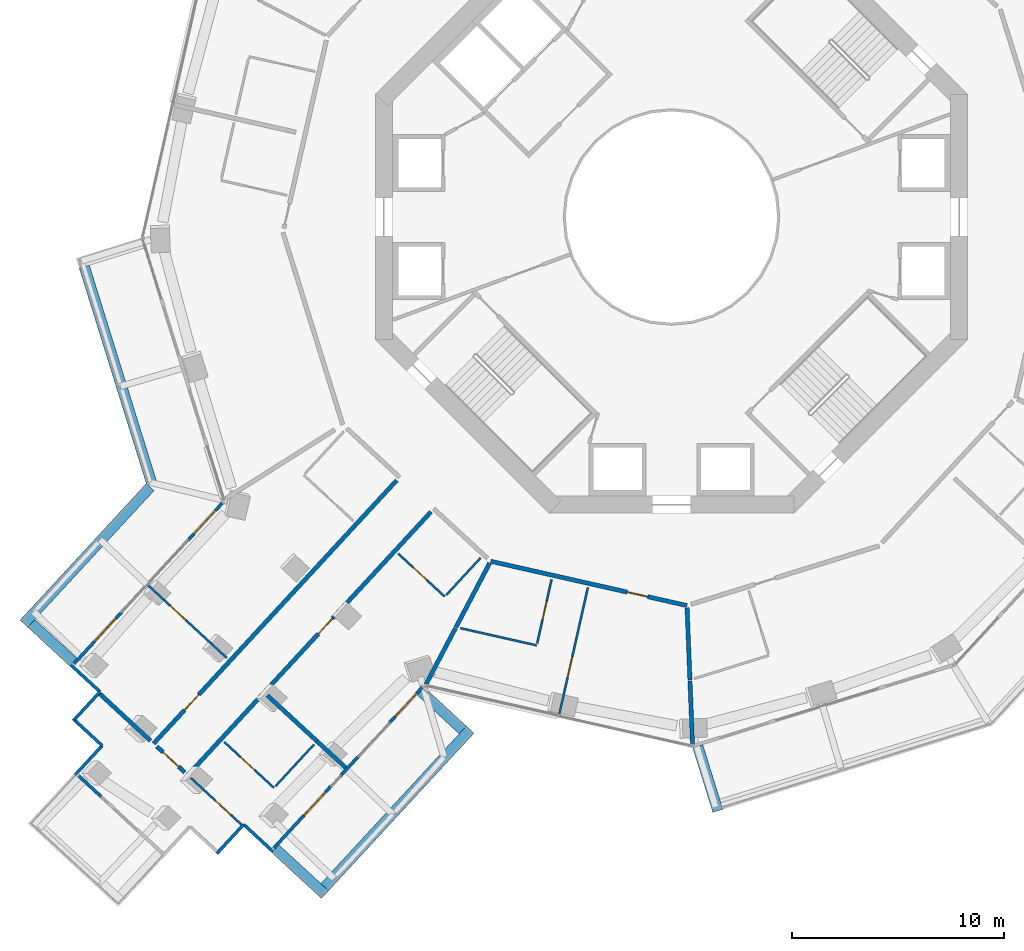
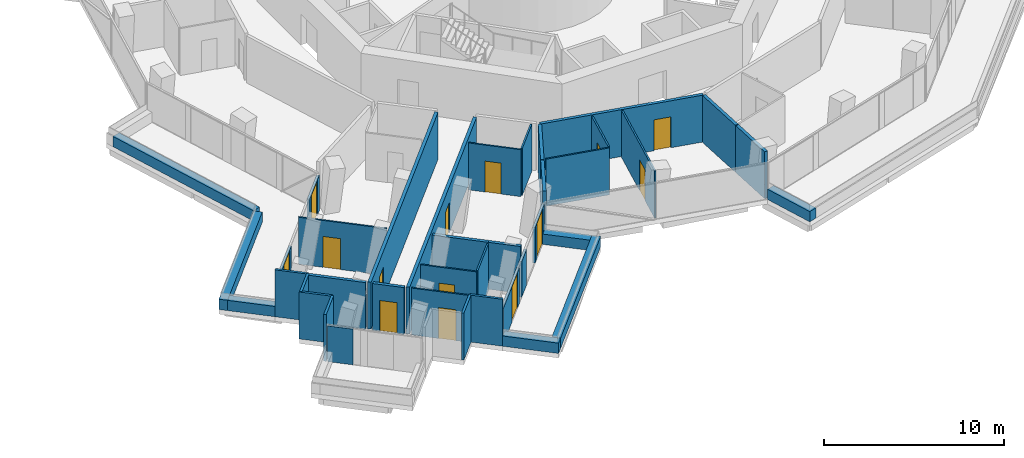
# One storey, part 17 of 25: 39 walls, 14 doors, 14 openings.
"""IFC4 building model written with IfcOpenShell, lengths in metres."""

from ifc_helpers import new_model, si_unit, direction, frame, frame_2d, origin, place, context, subcontext, project, spatial, rectangle, extrude, material, layer, layer_set, type_object, element, fill, save


model = new_model("IFC4")

# Units and contexts
model_context = context("Model", 3, precision=1e-05, world=origin(), true_north=direction((0.0, 1.0)))
body_context = subcontext(model_context, "Body", "Model", "MODEL_VIEW")
ifc_project = project(units=[si_unit("LENGTHUNIT", "METRE"), si_unit("AREAUNIT", "SQUARE_METRE"), si_unit("VOLUMEUNIT", "CUBIC_METRE"), si_unit("PLANEANGLEUNIT", "RADIAN"), si_unit("MASSUNIT", "GRAM", prefix="KILO")], contexts=[model_context])

# Site, building, storey
site_placement = place(None, origin())
site = spatial("IfcSite", under=ifc_project, at=site_placement, CompositionType="ELEMENT")
building_placement = place(site_placement, origin())
building = spatial("IfcBuilding", under=site, at=building_placement, Name="Verdalira Terraces Hotel", CompositionType="ELEMENT")
storey_placement = place(building_placement, frame((0.0, 0.0, 103.5)))
storey = spatial("IfcBuildingStorey", under=building, at=storey_placement, Name="L24", CompositionType="ELEMENT", Elevation=103.5)

# Walls
ifc_material_1 = material(Name="Concrete C40", Category="concrete")
ifc_layer_1 = layer(ifc_material_1, 0.5)
ifc_layer_set_1 = layer_set([ifc_layer_1], Name="Balcony planter trough with tree")
wall_type_1 = type_object("IfcWallType", Name="Balcony planter trough with tree", PredefinedType="SOLIDWALL", material=ifc_layer_set_1)
wall_1_placement = place(storey_placement, frame((-27.762451, -2.352783, 0.0), z_axis=(0.0, 0.0, 1.0), x_axis=(0.297028475, -0.954868622, 0.0)))
element("IfcWall", 1, at=wall_1_placement, inside=storey, type_object=wall_type_1, Name="Balcony planter", PredefinedType="SOLIDWALL", context=body_context, shape_type="SweptSolid", body=[
    extrude(rectangle(XDim=10.652344, YDim=0.5, at=frame_2d((5.326172, 0.0))), origin(), (0.0, 0.0, 1.0), 0.699951),
])
wall_2_placement = place(storey_placement, frame((-24.65332, -12.768311, 0.0), z_axis=(0.0, 0.0, 1.0), x_axis=(-0.678410385, -0.734683162, 0.0)))
element("IfcWall", 2, at=wall_2_placement, inside=storey, type_object=wall_type_1, Name="Balcony planter", PredefinedType="SOLIDWALL", context=body_context, shape_type="SweptSolid", body=[
    extrude(rectangle(XDim=8.794189, YDim=0.5, at=frame_2d((4.396973, 0.0))), origin(), (0.0, 0.0, 1.0), 0.699951),
])
wall_3_placement = place(storey_placement, frame((-30.266113, -19.215088, 0.0), z_axis=(0.0, 0.0, 1.0), x_axis=(0.734678586, -0.678415341, 0.0)))
element("IfcWall", 3, at=wall_3_placement, inside=storey, type_object=wall_type_1, Name="Balcony planter", PredefinedType="SOLIDWALL", context=body_context, shape_type="SweptSolid", body=[
    extrude(rectangle(XDim=2.698975, YDim=0.5, at=frame_2d((1.349609, 0.0))), origin(), (0.0, 0.0, 1.0), 0.699951),
])
wall_4_placement = place(storey_placement, frame((-18.730957, -29.866943, 0.0), z_axis=(0.0, 0.0, 1.0), x_axis=(0.734671758, -0.678422736, 0.0)))
element("IfcWall", 4, at=wall_4_placement, inside=storey, type_object=wall_type_1, Name="Balcony planter", PredefinedType="SOLIDWALL", context=body_context, shape_type="SweptSolid", body=[
    extrude(rectangle(XDim=3.19873, YDim=0.5, at=frame_2d((1.599365, 0.0))), origin(), (0.0, 0.0, 1.0), 0.699951),
])
wall_5_placement = place(storey_placement, frame((-16.394775, -31.683838, 0.0), z_axis=(0.0, 0.0, 1.0), x_axis=(0.678417072, 0.734676988, 0.0)))
element("IfcWall", 5, at=wall_5_placement, inside=storey, type_object=wall_type_1, Name="Balcony planter", PredefinedType="SOLIDWALL", context=body_context, shape_type="SweptSolid", body=[
    extrude(rectangle(XDim=10.141357, YDim=0.5, at=frame_2d((5.070801, 0.0))), origin(), (0.0, 0.0, 1.0), 0.699951),
])
wall_6_placement = place(storey_placement, frame((-9.86792, -24.24707, 0.0), z_axis=(0.0, 0.0, 1.0), x_axis=(-0.73463695, 0.678460427, 0.0)))
element("IfcWall", 6, at=wall_6_placement, inside=storey, type_object=wall_type_1, Name="Balcony planter", PredefinedType="SOLIDWALL", context=body_context, shape_type="SweptSolid", body=[
    extrude(rectangle(XDim=2.69873, YDim=0.5, at=frame_2d((1.349365, 0.0))), origin(), (0.0, 0.0, 1.0), 0.699951),
])
wall_7_placement = place(storey_placement, frame((1.238037, -25.020996, 0.0), z_axis=(0.0, 0.0, 1.0), x_axis=(0.297114489, -0.954841862, 0.0)))
element("IfcWall", 7, at=wall_7_placement, inside=storey, type_object=wall_type_1, Name="Balcony planter", PredefinedType="SOLIDWALL", context=body_context, shape_type="SweptSolid", body=[
    extrude(rectangle(XDim=3.198975, YDim=0.5, at=frame_2d((1.599609, 0.0))), origin(), (0.0, 0.0, 1.0), 0.699951),
])

# Wall, opening, door
ifc_material_2 = material(Name="Moisture-resistant gypsum board partition")
ifc_layer_2 = layer(ifc_material_2, 0.10009765625)
ifc_layer_set_2 = layer_set([ifc_layer_2], Name="Bathroom partition 100 mm")
wall_type_2 = type_object("IfcWallType", Name="Bathroom partition 100 mm", PredefinedType="PARTITIONING", material=ifc_layer_set_2)
wall_8_placement = place(storey_placement, frame((-24.732178, -17.423096, 0.0), z_axis=(0.0, 0.0, 1.0), x_axis=(0.734660708, -0.678434701, 0.0)))
wall_8 = element("IfcWall", 8, at=wall_8_placement, inside=storey, type_object=wall_type_2, Name="Bathroom partition", PredefinedType="PARTITIONING", context=body_context, shape_type="SweptSolid", body=[
    extrude(rectangle(XDim=5.049805, YDim=0.100098, at=frame_2d((2.524902, 0.0))), origin(), (0.0, 0.0, 1.0), 3.189941),
])
opening_1_placement = place(wall_8_placement, frame((1.399902, 0.0, 0.0)))
opening_1 = element("IfcOpeningElement", 9, at=opening_1_placement, cuts=wall_8, Name="Opening L24-114", PredefinedType="OPENING", context=body_context, shape_type="SweptSolid", body=[
    extrude(rectangle(XDim=1.0, YDim=2.100098, at=frame_2d((0.5, 1.050049))), frame((0.0, 0.060059, 0.0), z_axis=(0.0, -1.0, 0.0), x_axis=(1.0, 0.0, 0.0)), (0.0, 0.0, 1.0), 0.120117),
])
ifc_material_3 = material(Name="Timber door", Category="wood")
door_type_1 = type_object("IfcDoorType", Name="Suite internal door 1000 x 2100", OperationType="NOTDEFINED", PredefinedType="DOOR", material=ifc_material_3)
door_1_placement = place(opening_1_placement, origin())
door_1 = element("IfcDoor", 10, at=door_1_placement, inside=storey, type_object=door_type_1, Name="Suite internal door 2405", OperationType="SINGLE_SWING_LEFT", OverallHeight=2.10009765625, OverallWidth=1.0, PredefinedType="DOOR", context=body_context, shape_type="SweptSolid", body=[
    extrude(rectangle(XDim=1.0, YDim=2.100098, at=frame_2d((0.5, 1.050049))), frame((0.0, 0.024902, 0.0), z_axis=(0.0, -1.0, 0.0), x_axis=(1.0, 0.0, 0.0)), (0.0, 0.0, 1.0), 0.050049),
])
fill(opening_1, door_1)

wall_9_placement = place(storey_placement, frame((-22.72168, -26.522217, 0.0), z_axis=(0.0, 0.0, 1.0), x_axis=(0.734662397, -0.678432872, 0.0)))
wall_9 = element("IfcWall", 11, at=wall_9_placement, inside=storey, type_object=wall_type_2, Name="Bathroom partition", PredefinedType="PARTITIONING", context=body_context, shape_type="SweptSolid", body=[
    extrude(rectangle(XDim=3.251953, YDim=0.100098, at=frame_2d((1.625977, 0.0))), origin(), (0.0, 0.0, 1.0), 3.189941),
])
opening_2_placement = place(wall_9_placement, frame((1.550049, 0.0, 0.0)))
opening_2 = element("IfcOpeningElement", 12, at=opening_2_placement, cuts=wall_9, Name="Opening L24-117", PredefinedType="OPENING", context=body_context, shape_type="SweptSolid", body=[
    extrude(rectangle(XDim=1.0, YDim=2.100098, at=frame_2d((0.5, 1.050049))), frame((0.0, 0.060059, 0.0), z_axis=(0.0, -1.0, 0.0), x_axis=(1.0, 0.0, 0.0)), (0.0, 0.0, 1.0), 0.120117),
])
door_2_placement = place(opening_2_placement, origin())
door_2 = element("IfcDoor", 13, at=door_2_placement, inside=storey, type_object=door_type_1, Name="Suite internal door 2406", OperationType="SINGLE_SWING_LEFT", OverallHeight=2.10009765625, OverallWidth=1.0, PredefinedType="DOOR", context=body_context, shape_type="SweptSolid", body=[
    extrude(rectangle(XDim=1.0, YDim=2.100098, at=frame_2d((0.5, 1.050049))), frame((0.0, 0.024902, 0.0), z_axis=(0.0, -1.0, 0.0), x_axis=(1.0, 0.0, 0.0)), (0.0, 0.0, 1.0), 0.050049),
])
fill(opening_2, door_2)

wall_10_placement = place(storey_placement, frame((-21.147217, -24.817139, 0.0), z_axis=(0.0, 0.0, 1.0), x_axis=(0.734698137, -0.678394168, 0.0)))
wall_10 = element("IfcWall", 14, at=wall_10_placement, inside=storey, type_object=wall_type_2, Name="Bathroom partition", PredefinedType="PARTITIONING", context=body_context, shape_type="SweptSolid", body=[
    extrude(rectangle(XDim=3.199951, YDim=0.100098, at=frame_2d((1.600098, 0.0))), origin(), (0.0, 0.0, 1.0), 3.189941),
])
opening_3_placement = place(wall_10_placement, frame((1.050049, 0.0, 0.0)))
opening_3 = element("IfcOpeningElement", 15, at=opening_3_placement, cuts=wall_10, Name="Opening L24-118", PredefinedType="OPENING", context=body_context, shape_type="SweptSolid", body=[
    extrude(rectangle(XDim=0.899902, YDim=2.100098, at=frame_2d((0.449951, 1.050049))), frame((0.0, 0.060059, 0.0), z_axis=(0.0, -1.0, 0.0), x_axis=(1.0, 0.0, 0.0)), (0.0, 0.0, 1.0), 0.120117),
])
ifc_material_4 = material(Name="Timber door", Category="wood")
door_type_2 = type_object("IfcDoorType", Name="Bathroom door 900 x 2100", OperationType="NOTDEFINED", PredefinedType="DOOR", material=ifc_material_4)
door_3_placement = place(opening_3_placement, origin())
door_3 = element("IfcDoor", 16, at=door_3_placement, inside=storey, type_object=door_type_2, Name="Bathroom door 2406", OperationType="SINGLE_SWING_RIGHT", OverallHeight=2.10009765625, OverallWidth=0.89990234375, PredefinedType="DOOR", context=body_context, shape_type="SweptSolid", body=[
    extrude(rectangle(XDim=0.899902, YDim=2.100098, at=frame_2d((0.449951, 1.050049))), frame((0.0, 0.024902, 0.0), z_axis=(0.0, -1.0, 0.0), x_axis=(1.0, 0.0, 0.0)), (0.0, 0.0, 1.0), 0.050049),
])
fill(opening_3, door_3)

# Wall
wall_11_placement = place(storey_placement, frame((-18.728271, -26.914551, 0.0), z_axis=(0.0, 0.0, 1.0), x_axis=(0.678426553, 0.734668232, 0.0)))
element("IfcWall", 17, at=wall_11_placement, inside=storey, type_object=wall_type_2, Name="Bathroom partition", PredefinedType="PARTITIONING", context=body_context, shape_type="SweptSolid", body=[
    extrude(rectangle(XDim=2.699951, YDim=0.100098, at=frame_2d((1.350098, 0.0))), origin(), (0.0, 0.0, 1.0), 3.189941),
])

# Wall, opening, door
wall_12_placement = place(storey_placement, frame((-12.924316, -15.912109, 0.0), z_axis=(0.0, 0.0, 1.0), x_axis=(0.734663036, -0.678432181, 0.0)))
wall_12 = element("IfcWall", 18, at=wall_12_placement, inside=storey, type_object=wall_type_2, Name="Bathroom partition", PredefinedType="PARTITIONING", context=body_context, shape_type="SweptSolid", body=[
    extrude(rectangle(XDim=3.000244, YDim=0.100098, at=frame_2d((1.5, 0.0))), origin(), (0.0, 0.0, 1.0), 3.189941),
])
opening_4_placement = place(wall_12_placement, frame((0.949951, 0.0, 0.0)))
opening_4 = element("IfcOpeningElement", 19, at=opening_4_placement, cuts=wall_12, Name="Opening L24-120", PredefinedType="OPENING", context=body_context, shape_type="SweptSolid", body=[
    extrude(rectangle(XDim=0.899902, YDim=2.100098, at=frame_2d((0.449951, 1.050049))), frame((0.0, 0.060059, 0.0), z_axis=(0.0, -1.0, 0.0), x_axis=(1.0, 0.0, 0.0)), (0.0, 0.0, 1.0), 0.120117),
])
door_4_placement = place(opening_4_placement, origin())
door_4 = element("IfcDoor", 20, at=door_4_placement, inside=storey, type_object=door_type_2, Name="Bathroom door 2407", OperationType="SINGLE_SWING_RIGHT", OverallHeight=2.10009765625, OverallWidth=0.89990234375, PredefinedType="DOOR", context=body_context, shape_type="SweptSolid", body=[
    extrude(rectangle(XDim=0.899902, YDim=2.100098, at=frame_2d((0.449951, 1.050049))), frame((0.0, 0.024902, 0.0), z_axis=(0.0, -1.0, 0.0), x_axis=(1.0, 0.0, 0.0)), (0.0, 0.0, 1.0), 0.050049),
])
fill(opening_4, door_4)

# Walls
wall_13_placement = place(storey_placement, frame((-9.02417, -16.11084, 0.0), z_axis=(0.0, 0.0, 1.0), x_axis=(-0.678419519, -0.734674728, 0.0)))
element("IfcWall", 21, at=wall_13_placement, inside=storey, type_object=wall_type_2, Name="Bathroom partition", PredefinedType="PARTITIONING", context=body_context, shape_type="SweptSolid", body=[
    extrude(rectangle(XDim=2.399902, YDim=0.100098, at=frame_2d((1.199951, 0.0))), origin(), (0.0, 0.0, 1.0), 3.189941),
])
wall_14_placement = place(storey_placement, frame((-9.987061, -19.436279, 0.0), z_axis=(0.0, 0.0, 1.0), x_axis=(0.975451051, -0.220216363, 0.0)))
element("IfcWall", 22, at=wall_14_placement, inside=storey, type_object=wall_type_2, Name="Bathroom partition", PredefinedType="PARTITIONING", context=body_context, shape_type="SweptSolid", body=[
    extrude(rectangle(XDim=3.703857, YDim=0.100098, at=frame_2d((1.852051, 0.0))), origin(), (0.0, 0.0, 1.0), 3.189941),
])

# Wall, opening, door
wall_15_placement = place(storey_placement, frame((-6.351807, -20.154297, 0.0), z_axis=(0.0, 0.0, 1.0), x_axis=(0.220123085, 0.975472105, 0.0)))
wall_15 = element("IfcWall", 23, at=wall_15_placement, inside=storey, type_object=wall_type_2, Name="Bathroom partition", PredefinedType="PARTITIONING", context=body_context, shape_type="SweptSolid", body=[
    extrude(rectangle(XDim=3.099854, YDim=0.100098, at=frame_2d((1.549805, 0.0))), origin(), (0.0, 0.0, 1.0), 3.189941),
])
opening_5_placement = place(wall_15_placement, frame((1.149902, 0.0, 0.0)))
opening_5 = element("IfcOpeningElement", 24, at=opening_5_placement, cuts=wall_15, Name="Opening L24-123", PredefinedType="OPENING", context=body_context, shape_type="SweptSolid", body=[
    extrude(rectangle(XDim=0.899902, YDim=2.100098, at=frame_2d((0.449951, 1.050049))), frame((0.0, 0.060059, 0.0), z_axis=(0.0, -1.0, 0.0), x_axis=(1.0, 0.0, 0.0)), (0.0, 0.0, 1.0), 0.120117),
])
door_5_placement = place(opening_5_placement, origin())
door_5 = element("IfcDoor", 25, at=door_5_placement, inside=storey, type_object=door_type_2, Name="Bathroom door 2408", OperationType="SINGLE_SWING_LEFT", OverallHeight=2.10009765625, OverallWidth=0.89990234375, PredefinedType="DOOR", context=body_context, shape_type="SweptSolid", body=[
    extrude(rectangle(XDim=0.899902, YDim=2.100098, at=frame_2d((0.449951, 1.050049))), frame((0.0, 0.024902, 0.0), z_axis=(0.0, -1.0, 0.0), x_axis=(1.0, 0.0, 0.0)), (0.0, 0.0, 1.0), 0.050049),
])
fill(opening_5, door_5)

wall_16_placement = place(storey_placement, frame((-5.30835, -23.516602, 0.0), z_axis=(0.0, 0.0, 1.0), x_axis=(0.220203604, 0.975453932, 0.0)))
wall_16 = element("IfcWall", 26, at=wall_16_placement, inside=storey, type_object=wall_type_2, Name="Bathroom partition", PredefinedType="PARTITIONING", context=body_context, shape_type="SweptSolid", body=[
    extrude(rectangle(XDim=6.149902, YDim=0.100098, at=frame_2d((3.074951, 0.0))), origin(), (0.0, 0.0, 1.0), 3.189941),
])
opening_6_placement = place(wall_16_placement, frame((1.800049, 0.0, 0.0)))
opening_6 = element("IfcOpeningElement", 27, at=opening_6_placement, cuts=wall_16, Name="Opening L24-122", PredefinedType="OPENING", context=body_context, shape_type="SweptSolid", body=[
    extrude(rectangle(XDim=1.0, YDim=2.100098, at=frame_2d((0.5, 1.050049))), frame((0.0, 0.060059, 0.0), z_axis=(0.0, -1.0, 0.0), x_axis=(1.0, 0.0, 0.0)), (0.0, 0.0, 1.0), 0.120117),
])
door_6_placement = place(opening_6_placement, origin())
door_6 = element("IfcDoor", 28, at=door_6_placement, inside=storey, type_object=door_type_1, Name="Suite internal door 2408", OperationType="SINGLE_SWING_LEFT", OverallHeight=2.10009765625, OverallWidth=1.0, PredefinedType="DOOR", context=body_context, shape_type="SweptSolid", body=[
    extrude(rectangle(XDim=1.0, YDim=2.100098, at=frame_2d((0.5, 1.050049))), frame((0.0, 0.024902, 0.0), z_axis=(0.0, -1.0, 0.0), x_axis=(1.0, 0.0, 0.0)), (0.0, 0.0, 1.0), 0.050049),
])
fill(opening_6, door_6)

# Walls
ifc_material_5 = material(Name="Fire-rated gypsum board wall")
ifc_layer_3 = layer(ifc_material_5, 0.199951171875)
ifc_layer_set_3 = layer_set([ifc_layer_3], Name="Demising wall 200 mm")
wall_type_3 = type_object("IfcWallType", Name="Demising wall 200 mm", PredefinedType="SOLIDWALL", material=ifc_layer_set_3)
wall_17_placement = place(storey_placement, frame((-24.631836, -24.758301, 0.0), z_axis=(0.0, 0.0, 1.0), x_axis=(-0.734662397, 0.678432872, 0.0)))
element("IfcWall", 29, at=wall_17_placement, inside=storey, type_object=wall_type_3, Name="Demising wall", PredefinedType="SOLIDWALL", context=body_context, shape_type="SweptSolid", body=[
    extrude(rectangle(XDim=3.251953, YDim=0.199951, at=frame_2d((1.625977, 0.0))), origin(), (0.0, 0.0, 1.0), 3.189941),
])
wall_18_placement = place(storey_placement, frame((-19.111816, -22.613037, 0.0), z_axis=(0.0, 0.0, 1.0), x_axis=(0.734663023, -0.678432195, 0.0)))
element("IfcWall", 30, at=wall_18_placement, inside=storey, type_object=wall_type_3, Name="Demising wall", PredefinedType="SOLIDWALL", context=body_context, shape_type="SweptSolid", body=[
    extrude(rectangle(XDim=3.199951, YDim=0.199951, at=frame_2d((1.600098, 0.0))), origin(), (0.0, 0.0, 1.0), 3.189941),
])
wall_19_placement = place(storey_placement, frame((-16.760986, -24.783936, 0.0), z_axis=(0.0, 0.0, 1.0), x_axis=(0.734656704, -0.678439037, 0.0)))
element("IfcWall", 31, at=wall_19_placement, inside=storey, type_object=wall_type_3, Name="Demising wall", PredefinedType="SOLIDWALL", context=body_context, shape_type="SweptSolid", body=[
    extrude(rectangle(XDim=1.850098, YDim=0.199951, at=frame_2d((0.925049, 0.0))), origin(), (0.0, 0.0, 1.0), 3.189941),
])
wall_20_placement = place(storey_placement, frame((-10.211182, -19.433105, 0.0), z_axis=(0.0, 0.0, 1.0), x_axis=(-0.465151616, -0.885231029, 0.0)))
element("IfcWall", 32, at=wall_20_placement, inside=storey, type_object=wall_type_3, Name="Demising wall", PredefinedType="SOLIDWALL", context=body_context, shape_type="SweptSolid", body=[
    extrude(rectangle(XDim=3.011719, YDim=0.199951, at=frame_2d((1.505859, 0.0))), origin(), (0.0, 0.0, 1.0), 3.189941),
])
for number, where, z_axis, x_axis, name in (
    (33, (-8.599854, -16.366455, 0.0), (0.0, 0.0, 1.0), (-0.465148797, -0.88523251, 0.0), "Demising wall"),
    (34, (0.735596, -18.473633, 0.0), (0.0, 0.0, 1.0), (0.039779795, -0.999208471, 0.0), "Demising wall"),
):
    element("IfcWall", number, at=place(storey_placement, frame(where, z_axis=z_axis, x_axis=x_axis)), inside=storey, type_object=wall_type_3, Name=name, PredefinedType="SOLIDWALL", context=body_context, shape_type="SweptSolid", body=[
        extrude(rectangle(XDim=3.418457, YDim=0.199951, at=frame_2d((1.709229, 0.0))), origin(), (0.0, 0.0, 1.0), 3.189941),
    ])
wall_21_placement = place(storey_placement, frame((0.873291, -21.935303, 0.0), z_axis=(0.0, 0.0, 1.0), x_axis=(0.039806154, -0.999207421, 0.0)))
element("IfcWall", 35, at=wall_21_placement, inside=storey, type_object=wall_type_3, Name="Demising wall", PredefinedType="SOLIDWALL", context=body_context, shape_type="SweptSolid", body=[
    extrude(rectangle(XDim=3.011475, YDim=0.199951, at=frame_2d((1.505859, 0.0))), origin(), (0.0, 0.0, 1.0), 3.189941),
])

# Wall, opening, door
ifc_material_6 = material(Name="Fire-rated gypsum board wall")
ifc_layer_4 = layer(ifc_material_6, 0.199951171875)
ifc_layer_set_4 = layer_set([ifc_layer_4], Name="Guest corridor wall 200 mm")
wall_type_4 = type_object("IfcWallType", Name="Guest corridor wall 200 mm", PredefinedType="SOLIDWALL", material=ifc_layer_set_4)
wall_22_placement = place(storey_placement, frame((-23.013916, -26.252197, 0.0), z_axis=(0.0, 0.0, 1.0), x_axis=(-0.734725526, 0.678364505, 0.0)))
wall_22 = element("IfcWall", 36, at=wall_22_placement, inside=storey, type_object=wall_type_4, Name="Guest corridor wall", PredefinedType="SOLIDWALL", context=body_context, shape_type="SweptSolid", body=[
    extrude(rectangle(XDim=1.802002, YDim=0.199951, at=frame_2d((0.900879, 0.0))), origin(), (0.0, 0.0, 1.0), 3.189941),
])
opening_7_placement = place(wall_22_placement, frame((0.399902, 0.0, 0.0)))
opening_7 = element("IfcOpeningElement", 37, at=opening_7_placement, cuts=wall_22, Name="Opening L24-116", PredefinedType="OPENING", context=body_context, shape_type="SweptSolid", body=[
    extrude(rectangle(XDim=1.0, YDim=2.100098, at=frame_2d((0.5, 1.050049))), frame((0.0, 0.109863, 0.0), z_axis=(0.0, -1.0, 0.0), x_axis=(1.0, 0.0, 0.0)), (0.0, 0.0, 1.0), 0.219971),
])
ifc_material_7 = material(Name="Timber fire door", Category="wood")
door_type_3 = type_object("IfcDoorType", Name="Guest entry door 1000 x 2100", OperationType="NOTDEFINED", PredefinedType="DOOR", material=ifc_material_7)
door_7_placement = place(opening_7_placement, origin())
door_7 = element("IfcDoor", 38, at=door_7_placement, inside=storey, type_object=door_type_3, Name="Guest entry door 2406", OperationType="SINGLE_SWING_LEFT", OverallHeight=2.10009765625, OverallWidth=1.0, PredefinedType="DOOR", context=body_context, shape_type="SweptSolid", body=[
    extrude(rectangle(XDim=1.0, YDim=2.100098, at=frame_2d((0.5, 1.050049))), frame((0.0, 0.024902, 0.0), z_axis=(0.0, -1.0, 0.0), x_axis=(1.0, 0.0, 0.0)), (0.0, 0.0, 1.0), 0.050049),
])
fill(opening_7, door_7)

wall_23_placement = place(storey_placement, frame((-24.484863, -24.894043, 0.0), z_axis=(0.0, 0.0, 1.0), x_axis=(0.678409972, 0.734683544, 0.0)))
wall_23 = element("IfcWall", 39, at=wall_23_placement, inside=storey, type_object=wall_type_4, Name="Guest corridor wall", PredefinedType="SOLIDWALL", context=body_context, shape_type="SweptSolid", body=[
    extrude(rectangle(XDim=16.94165, YDim=0.199951, at=frame_2d((8.470703, 0.0))), origin(), (0.0, 0.0, 1.0), 3.189941),
])
opening_8_placement = place(wall_23_placement, frame((2.149902, 0.0, 0.0)))
opening_8 = element("IfcOpeningElement", 40, at=opening_8_placement, cuts=wall_23, Name="Opening L24-113", PredefinedType="OPENING", context=body_context, shape_type="SweptSolid", body=[
    extrude(rectangle(XDim=1.0, YDim=2.100098, at=frame_2d((0.5, 1.050049))), frame((0.0, 0.109863, 0.0), z_axis=(0.0, -1.0, 0.0), x_axis=(1.0, 0.0, 0.0)), (0.0, 0.0, 1.0), 0.219971),
])
door_8_placement = place(opening_8_placement, origin())
door_8 = element("IfcDoor", 41, at=door_8_placement, inside=storey, type_object=door_type_3, Name="Guest entry door 2405", OperationType="SINGLE_SWING_LEFT", OverallHeight=2.10009765625, OverallWidth=1.0, PredefinedType="DOOR", context=body_context, shape_type="SweptSolid", body=[
    extrude(rectangle(XDim=1.0, YDim=2.100098, at=frame_2d((0.5, 1.050049))), frame((0.0, 0.024902, 0.0), z_axis=(0.0, -1.0, 0.0), x_axis=(1.0, 0.0, 0.0)), (0.0, 0.0, 1.0), 0.050049),
])
fill(opening_8, door_8)

wall_24_placement = place(storey_placement, frame((-11.375, -13.939697, 0.0), z_axis=(0.0, 0.0, 1.0), x_axis=(-0.67841775, -0.734676361, 0.0)))
wall_24 = element("IfcWall", 42, at=wall_24_placement, inside=storey, type_object=wall_type_4, Name="Guest corridor wall", PredefinedType="SOLIDWALL", context=body_context, shape_type="SweptSolid", body=[
    extrude(rectangle(XDim=16.941895, YDim=0.199951, at=frame_2d((8.470947, 0.0))), origin(), (0.0, 0.0, 1.0), 3.189941),
])
opening_9_placement = place(wall_24_placement, frame((6.850098, 0.0, 0.0)))
opening_9 = element("IfcOpeningElement", 43, at=opening_9_placement, cuts=wall_24, Name="Opening L24-119", PredefinedType="OPENING", context=body_context, shape_type="SweptSolid", body=[
    extrude(rectangle(XDim=1.0, YDim=2.100098, at=frame_2d((0.5, 1.050049))), frame((0.0, 0.109863, 0.0), z_axis=(0.0, -1.0, 0.0), x_axis=(1.0, 0.0, 0.0)), (0.0, 0.0, 1.0), 0.219971),
])
door_9_placement = place(opening_9_placement, origin())
door_9 = element("IfcDoor", 44, at=door_9_placement, inside=storey, type_object=door_type_3, Name="Guest entry door 2407", OperationType="SINGLE_SWING_RIGHT", OverallHeight=2.10009765625, OverallWidth=1.0, PredefinedType="DOOR", context=body_context, shape_type="SweptSolid", body=[
    extrude(rectangle(XDim=1.0, YDim=2.100098, at=frame_2d((0.5, 1.050049))), frame((0.0, 0.024902, 0.0), z_axis=(0.0, -1.0, 0.0), x_axis=(1.0, 0.0, 0.0)), (0.0, 0.0, 1.0), 0.050049),
])
fill(opening_9, door_9)

wall_25_placement = place(storey_placement, frame((0.731445, -18.370117, 0.0), z_axis=(0.0, 0.0, 1.0), x_axis=(-0.9754634, 0.220161658, 0.0)))
wall_25 = element("IfcWall", 45, at=wall_25_placement, inside=storey, type_object=wall_type_4, Name="Guest corridor wall", PredefinedType="SOLIDWALL", context=body_context, shape_type="SweptSolid", body=[
    extrude(rectangle(XDim=9.516602, YDim=0.199951, at=frame_2d((4.758301, 0.0))), origin(), (0.0, 0.0, 1.0), 3.189941),
])
opening_10_placement = place(wall_25_placement, frame((1.899902, 0.0, 0.0)))
opening_10 = element("IfcOpeningElement", 46, at=opening_10_placement, cuts=wall_25, Name="Opening L24-121", PredefinedType="OPENING", context=body_context, shape_type="SweptSolid", body=[
    extrude(rectangle(XDim=1.0, YDim=2.100098, at=frame_2d((0.5, 1.050049))), frame((0.0, 0.109863, 0.0), z_axis=(0.0, -1.0, 0.0), x_axis=(1.0, 0.0, 0.0)), (0.0, 0.0, 1.0), 0.219971),
])
door_10_placement = place(opening_10_placement, origin())
door_10 = element("IfcDoor", 47, at=door_10_placement, inside=storey, type_object=door_type_3, Name="Guest entry door 2408", OperationType="SINGLE_SWING_LEFT", OverallHeight=2.10009765625, OverallWidth=1.0, PredefinedType="DOOR", context=body_context, shape_type="SweptSolid", body=[
    extrude(rectangle(XDim=1.0, YDim=2.100098, at=frame_2d((0.5, 1.050049))), frame((0.0, 0.024902, 0.0), z_axis=(0.0, -1.0, 0.0), x_axis=(1.0, 0.0, 0.0)), (0.0, 0.0, 1.0), 0.050049),
])
fill(opening_10, door_10)

# Walls
ifc_material_8 = material(Name="Terracotta cladding", Category="masonry")
ifc_layer_5 = layer(ifc_material_8, 0.14990234375)
ifc_layer_set_5 = layer_set([ifc_layer_5], Name="Terracotta clad wall 150")
wall_type_5 = type_object("IfcWallType", Name="Terracotta clad wall 150", PredefinedType="SOLIDWALL", material=ifc_layer_set_5)
wall_26_placement = place(storey_placement, frame((-28.401367, -21.175537, 0.0), z_axis=(0.0, 0.0, 1.0), x_axis=(0.734733556, -0.678355808, 0.0)))
element("IfcWall", 48, at=wall_26_placement, inside=storey, type_object=wall_type_5, Name="Terracotta cladding wall", PredefinedType="SOLIDWALL", context=body_context, shape_type="SweptSolid", body=[
    extrude(rectangle(XDim=1.875, YDim=0.149902, at=frame_2d((0.9375, 0.0))), origin(), (0.0, 0.0, 1.0), 3.189941),
])
wall_27_placement = place(storey_placement, frame((-27.023682, -22.44751, 0.0), z_axis=(0.0, 0.0, 1.0), x_axis=(-0.67840402, -0.73468904, 0.0)))
element("IfcWall", 49, at=wall_27_placement, inside=storey, type_object=wall_type_5, Name="Terracotta cladding wall", PredefinedType="SOLIDWALL", context=body_context, shape_type="SweptSolid", body=[
    extrude(rectangle(XDim=1.800049, YDim=0.149902, at=frame_2d((0.899902, 0.0))), origin(), (0.0, 0.0, 1.0), 3.189941),
])
wall_28_placement = place(storey_placement, frame((-28.300049, -23.718994, 0.0), z_axis=(0.0, 0.0, 1.0), x_axis=(0.734733556, -0.678355808, 0.0)))
element("IfcWall", 50, at=wall_28_placement, inside=storey, type_object=wall_type_5, Name="Terracotta cladding wall", PredefinedType="SOLIDWALL", context=body_context, shape_type="SweptSolid", body=[
    extrude(rectangle(XDim=1.875, YDim=0.149902, at=frame_2d((0.9375, 0.0))), origin(), (0.0, 0.0, 1.0), 3.189941),
])
wall_29_placement = place(storey_placement, frame((-26.922363, -24.990967, 0.0), z_axis=(0.0, 0.0, 1.0), x_axis=(-0.678426086, -0.734668664, 0.0)))
element("IfcWall", 51, at=wall_29_placement, inside=storey, type_object=wall_type_5, Name="Terracotta cladding wall", PredefinedType="SOLIDWALL", context=body_context, shape_type="SweptSolid", body=[
    extrude(rectangle(XDim=1.875244, YDim=0.149902, at=frame_2d((0.9375, 0.0))), origin(), (0.0, 0.0, 1.0), 3.189941),
])
for number, where, z_axis, x_axis, name in (
    (52, (-21.5, -30.100342, 0.0), (0.0, 0.0, 1.0), (0.678420706, 0.734673632, 0.0), "Terracotta cladding wall"),
    (53, (-20.228027, -28.7229, 0.0), (0.0, 0.0, 1.0), (0.734733556, -0.678355808, 0.0), "Terracotta cladding wall"),
):
    element("IfcWall", number, at=place(storey_placement, frame(where, z_axis=z_axis, x_axis=x_axis)), inside=storey, type_object=wall_type_5, Name=name, PredefinedType="SOLIDWALL", context=body_context, shape_type="SweptSolid", body=[
        extrude(rectangle(XDim=1.875, YDim=0.149902, at=frame_2d((0.9375, 0.0))), origin(), (0.0, 0.0, 1.0), 3.189941),
    ])
ifc_material_9 = material(Name="Terracotta cladding", Category="masonry")
ifc_layer_6 = layer(ifc_material_9, 0.14990234375)
ifc_layer_set_6 = layer_set([ifc_layer_6], Name="Terracotta column pier 150")
wall_type_6 = type_object("IfcWallType", Name="Terracotta column pier 150", PredefinedType="SOLIDWALL", material=ifc_layer_set_6)
wall_30_placement = place(storey_placement, frame((-28.029785, -26.418701, 0.0), z_axis=(0.0, 0.0, 1.0), x_axis=(0.734699401, -0.678392799, 0.0)))
element("IfcWall", 54, at=wall_30_placement, inside=storey, type_object=wall_type_6, Name="Terracotta column pier", PredefinedType="SOLIDWALL", context=body_context, shape_type="SweptSolid", body=[
    extrude(rectangle(XDim=1.439453, YDim=0.149902, at=frame_2d((0.719727, 0.0))), origin(), (0.0, 0.0, 1.0), 2.425049),
])
wall_31_placement = place(storey_placement, frame((-15.651855, -26.420654, 0.0), z_axis=(0.0, 0.0, 1.0), x_axis=(0.67838605, 0.734705633, 0.0)))
element("IfcWall", 55, at=wall_31_placement, inside=storey, type_object=wall_type_6, Name="Terracotta column pier", PredefinedType="SOLIDWALL", context=body_context, shape_type="SweptSolid", body=[
    extrude(rectangle(XDim=1.244141, YDim=0.149902, at=frame_2d((0.62207, 0.0))), origin(), (0.0, 0.0, 1.0), 2.425049),
])

# Wall, opening, door
ifc_material_10 = material(Name="Terracotta cladding", Category="masonry")
ifc_layer_7 = layer(ifc_material_10, 0.14990234375)
ifc_layer_set_7 = layer_set([ifc_layer_7], Name="Terracotta door pier 150")
wall_type_7 = type_object("IfcWallType", Name="Terracotta door pier 150", PredefinedType="SOLIDWALL", material=ifc_layer_set_7)
wall_32_placement = place(storey_placement, frame((-21.225098, -13.514648, 0.0), z_axis=(0.0, 0.0, 1.0), x_axis=(-0.678394477, -0.734697852, 0.0)))
wall_32 = element("IfcWall", 56, at=wall_32_placement, inside=storey, type_object=wall_type_7, Name="Terracotta door pier", PredefinedType="SOLIDWALL", context=body_context, shape_type="SweptSolid", body=[
    extrude(rectangle(XDim=2.393555, YDim=0.149902, at=frame_2d((1.196777, 0.0))), origin(), (0.0, 0.0, 1.0), 2.425049),
])
opening_11_placement = place(wall_32_placement, frame((0.493652, 0.0, 0.0)))
opening_11 = element("IfcOpeningElement", 57, at=opening_11_placement, cuts=wall_32, Name="Opening L24-B08", PredefinedType="OPENING", context=body_context, shape_type="SweptSolid", body=[
    extrude(rectangle(XDim=1.5, YDim=2.399902, at=frame_2d((0.75, 1.199951))), frame((0.0, 0.084961, 0.0), z_axis=(0.0, -1.0, 0.0), x_axis=(1.0, 0.0, 0.0)), (0.0, 0.0, 1.0), 0.169922),
])
ifc_material_11 = material(Name="Clear glass", Category="glass")
door_type_4 = type_object("IfcDoorType", Name="Balcony sliding door 1500x2400", OperationType="NOTDEFINED", PredefinedType="DOOR", material=ifc_material_11)
door_11_placement = place(opening_11_placement, origin())
door_11 = element("IfcDoor", 58, at=door_11_placement, inside=storey, type_object=door_type_4, Name="Balcony sliding door", OperationType="SLIDING_TO_LEFT", OverallHeight=2.39990234375, OverallWidth=1.5, PredefinedType="DOOR", context=body_context, shape_type="SweptSolid", body=[
    extrude(rectangle(XDim=1.5, YDim=2.399902, at=frame_2d((0.75, 1.199951))), frame((0.0, 0.024902, 0.0), z_axis=(0.0, -1.0, 0.0), x_axis=(1.0, 0.0, 0.0)), (0.0, 0.0, 1.0), 0.050049),
])
fill(opening_11, door_11)

wall_33_placement = place(storey_placement, frame((-25.993896, -18.678955, 0.0), z_axis=(0.0, 0.0, 1.0), x_axis=(-0.678402175, -0.734690744, 0.0)))
wall_33 = element("IfcWall", 59, at=wall_33_placement, inside=storey, type_object=wall_type_7, Name="Terracotta door pier", PredefinedType="SOLIDWALL", context=body_context, shape_type="SweptSolid", body=[
    extrude(rectangle(XDim=3.322266, YDim=0.149902, at=frame_2d((1.661133, 0.0))), origin(), (0.0, 0.0, 1.0), 2.425049),
])
opening_12_placement = place(wall_33_placement, frame((0.399902, 0.0, 0.0)))
opening_12 = element("IfcOpeningElement", 60, at=opening_12_placement, cuts=wall_33, Name="Opening L24-B09", PredefinedType="OPENING", context=body_context, shape_type="SweptSolid", body=[
    extrude(rectangle(XDim=1.5, YDim=2.399902, at=frame_2d((0.75, 1.199951))), frame((0.0, 0.084961, 0.0), z_axis=(0.0, -1.0, 0.0), x_axis=(1.0, 0.0, 0.0)), (0.0, 0.0, 1.0), 0.169922),
])
door_12_placement = place(opening_12_placement, origin())
door_12 = element("IfcDoor", 61, at=door_12_placement, inside=storey, type_object=door_type_4, Name="Balcony sliding door", OperationType="SLIDING_TO_RIGHT", OverallHeight=2.39990234375, OverallWidth=1.5, PredefinedType="DOOR", context=body_context, shape_type="SweptSolid", body=[
    extrude(rectangle(XDim=1.5, YDim=2.399902, at=frame_2d((0.75, 1.199951))), frame((0.0, 0.024902, 0.0), z_axis=(0.0, -1.0, 0.0), x_axis=(1.0, 0.0, 0.0)), (0.0, 0.0, 1.0), 0.050049),
])
fill(opening_12, door_12)

wall_34_placement = place(storey_placement, frame((-18.807129, -29.837402, 0.0), z_axis=(0.0, 0.0, 1.0), x_axis=(0.678426715, 0.734668083, 0.0)))
wall_34 = element("IfcWall", 62, at=wall_34_placement, inside=storey, type_object=wall_type_7, Name="Terracotta door pier", PredefinedType="SOLIDWALL", context=body_context, shape_type="SweptSolid", body=[
    extrude(rectangle(XDim=4.010986, YDim=0.149902, at=frame_2d((2.005371, 0.0))), origin(), (0.0, 0.0, 1.0), 2.425049),
])
opening_13_placement = place(wall_34_placement, frame((2.111084, 0.0, 0.0)))
opening_13 = element("IfcOpeningElement", 63, at=opening_13_placement, cuts=wall_34, Name="Opening L24-B11", PredefinedType="OPENING", context=body_context, shape_type="SweptSolid", body=[
    extrude(rectangle(XDim=1.5, YDim=2.399902, at=frame_2d((0.75, 1.199951))), frame((0.0, 0.084961, 0.0), z_axis=(0.0, -1.0, 0.0), x_axis=(1.0, 0.0, 0.0)), (0.0, 0.0, 1.0), 0.169922),
])
door_13_placement = place(opening_13_placement, origin())
door_13 = element("IfcDoor", 64, at=door_13_placement, inside=storey, type_object=door_type_4, Name="Balcony sliding door", OperationType="SLIDING_TO_LEFT", OverallHeight=2.39990234375, OverallWidth=1.5, PredefinedType="DOOR", context=body_context, shape_type="SweptSolid", body=[
    extrude(rectangle(XDim=1.5, YDim=2.399902, at=frame_2d((0.75, 1.199951))), frame((0.0, 0.024902, 0.0), z_axis=(0.0, -1.0, 0.0), x_axis=(1.0, 0.0, 0.0)), (0.0, 0.0, 1.0), 0.050049),
])
fill(opening_13, door_13)

wall_35_placement = place(storey_placement, frame((-13.344727, -23.922119, 0.0), z_axis=(0.0, 0.0, 1.0), x_axis=(0.678416766, 0.734677271, 0.0)))
wall_35 = element("IfcWall", 65, at=wall_35_placement, inside=storey, type_object=wall_type_7, Name="Terracotta door pier", PredefinedType="SOLIDWALL", context=body_context, shape_type="SweptSolid", body=[
    extrude(rectangle(XDim=2.299805, YDim=0.149902, at=frame_2d((1.149902, 0.0))), origin(), (0.0, 0.0, 1.0), 2.425049),
])
opening_14_placement = place(wall_35_placement, frame((0.399902, 0.0, 0.0)))
opening_14 = element("IfcOpeningElement", 66, at=opening_14_placement, cuts=wall_35, Name="Opening L24-B12", PredefinedType="OPENING", context=body_context, shape_type="SweptSolid", body=[
    extrude(rectangle(XDim=1.5, YDim=2.399902, at=frame_2d((0.75, 1.199951))), frame((0.0, 0.084961, 0.0), z_axis=(0.0, -1.0, 0.0), x_axis=(1.0, 0.0, 0.0)), (0.0, 0.0, 1.0), 0.169922),
])
door_14_placement = place(opening_14_placement, origin())
door_14 = element("IfcDoor", 67, at=door_14_placement, inside=storey, type_object=door_type_4, Name="Balcony sliding door", OperationType="SLIDING_TO_RIGHT", OverallHeight=2.39990234375, OverallWidth=1.5, PredefinedType="DOOR", context=body_context, shape_type="SweptSolid", body=[
    extrude(rectangle(XDim=1.5, YDim=2.399902, at=frame_2d((0.75, 1.199951))), frame((0.0, 0.024902, 0.0), z_axis=(0.0, -1.0, 0.0), x_axis=(1.0, 0.0, 0.0)), (0.0, 0.0, 1.0), 0.050049),
])
fill(opening_14, door_14)

save(model, "model.ifc")
